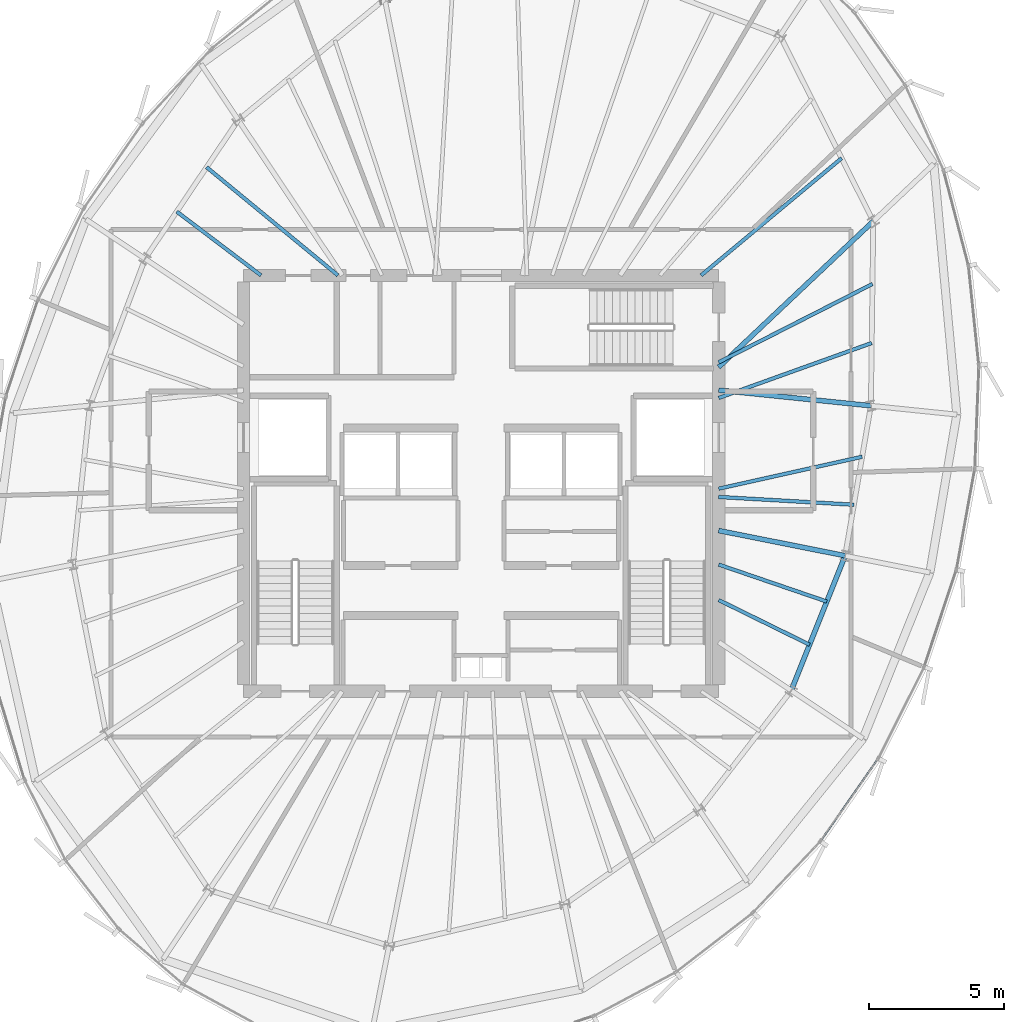
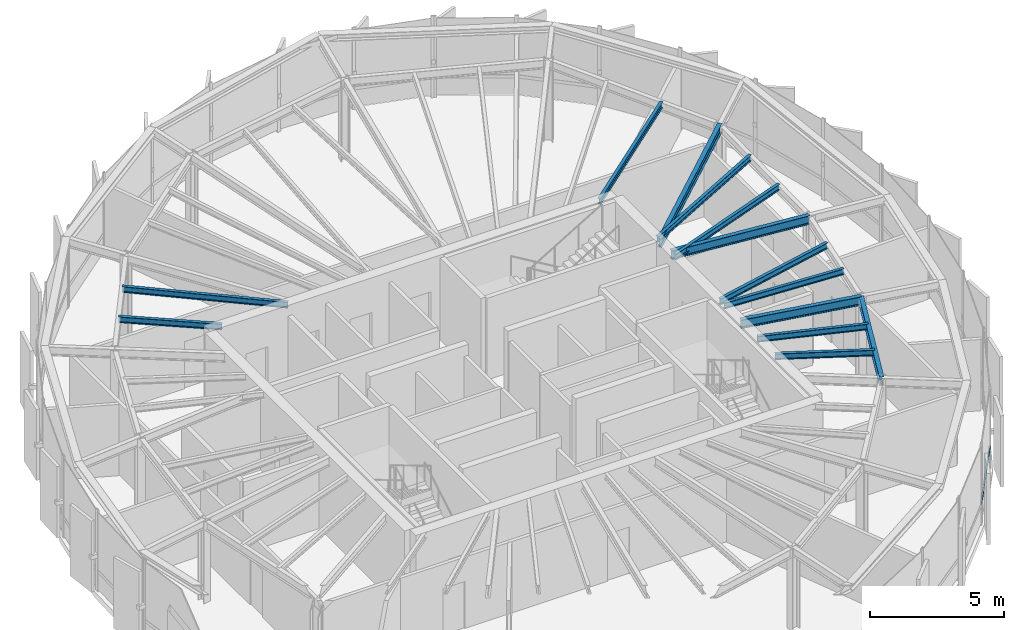
# One storey, part 11 of 25: 13 beams, 1 member, 1 element without a shape of its own.
"""IFC4 building model written with IfcOpenShell, lengths in metres."""

import ifcopenshell
import ifcopenshell.guid

model = None  # the IFC model being written
_history = None  # IfcOwnerHistory: only IFC2X3 demands one
_inside = {}  # id of a spatial element -> (the spatial element, [elements in it])
_under = {}  # id of a project, library or spatial element -> (it, [spatial elements below it])
_declared = {}  # id of a project -> (the project, [libraries it declares])
_typed = {}  # id of a type object -> (the type object, [elements of that type])
_made_of = {}  # id of a material, layer set ... -> (it, [elements and type objects made of it])


def new_model(schema):
    """Start an empty IFC model of exactly this schema.

    Asked for "IFC4X3", IfcOpenShell would pick the latest addendum, in which some entities
    have other attributes; the version numbers below select the first issue.
    IFC2X3 requires an IfcOwnerHistory on every rooted entity: one is made here for all.
    """
    global model, _history
    if schema == "IFC4X3":
        model = ifcopenshell.file(schema_version=(4, 3, 0, 0))
    else:
        model = ifcopenshell.file(schema=schema)
    _inside.clear()
    _under.clear()
    _declared.clear()
    _typed.clear()
    _made_of.clear()
    _history = None
    if model.schema == "IFC2X3":
        org = make("IfcOrganization", Name="unknown")
        user = make(
            "IfcPersonAndOrganization",
            ThePerson=make("IfcPerson", FamilyName="unknown"),
            TheOrganization=org,
        )
        app = make(
            "IfcApplication",
            ApplicationDeveloper=org,
            Version="unknown",
            ApplicationFullName="unknown",
            ApplicationIdentifier="unknown",
        )
        _history = make(
            "IfcOwnerHistory",
            OwningUser=user,
            OwningApplication=app,
            ChangeAction="ADDED",
            CreationDate=0,
        )
    return model


def make(cls, **values):
    """One entity of the class cls with the attributes given. An attribute that is None is left unset."""
    return model.create_entity(
        cls, **{name: value for name, value in values.items() if value is not None}
    )


def rooted(cls, **values):
    """An entity with a GlobalId (a new one), such as an element, a storey or a relation."""
    return make(cls, GlobalId=ifcopenshell.guid.new(), OwnerHistory=_history, **values)


def si_unit(unit_type, name, prefix=None):
    """IfcSIUnit, for example si_unit("LENGTHUNIT", "METRE", prefix="MILLI")."""
    return make("IfcSIUnit", UnitType=unit_type, Prefix=prefix, Name=name)


def assignment(units):
    """IfcUnitAssignment: the units of a project."""
    return None if units is None else make("IfcUnitAssignment", Units=units)


def point(xyz):
    """IfcCartesianPoint."""
    return None if xyz is None else make("IfcCartesianPoint", Coordinates=xyz)


def direction(xyz):
    """IfcDirection."""
    return None if xyz is None else make("IfcDirection", DirectionRatios=xyz)


def frame(location, z_axis=None, x_axis=None):
    """IfcAxis2Placement3D, a coordinate frame: its origin and axes. An axis left out is left unset."""
    return make(
        "IfcAxis2Placement3D",
        Location=point(location),
        Axis=direction(z_axis),
        RefDirection=direction(x_axis),
    )


def frame_2d(location, x_axis=None):
    """IfcAxis2Placement2D, a coordinate frame in the plane: its origin and x axis."""
    return make(
        "IfcAxis2Placement2D", Location=point(location), RefDirection=direction(x_axis)
    )


def origin():
    """The frame at (0, 0, 0) with its axes left unset."""
    return frame((0.0, 0.0, 0.0))


def origin_2d():
    """The frame at (0, 0) in the plane with its x axis left unset."""
    return frame_2d((0.0, 0.0))


def place(relative_to, where):
    """IfcLocalPlacement: puts the frame where relative to a parent placement (None: the world)."""
    return make(
        "IfcLocalPlacement", PlacementRelTo=relative_to, RelativePlacement=where
    )


def context(
    kind, dimensions, precision=None, world=None, true_north=None, identifier=None
):
    """IfcGeometricRepresentationContext, for example the 3D "Model" context."""
    return make(
        "IfcGeometricRepresentationContext",
        ContextIdentifier=identifier,
        ContextType=kind,
        CoordinateSpaceDimension=dimensions,
        Precision=precision,
        WorldCoordinateSystem=world,
        TrueNorth=true_north,
    )


def subcontext(parent, identifier, kind, view, scale=None):
    """IfcGeometricRepresentationSubContext, for example "Body" below "Model"."""
    return make(
        "IfcGeometricRepresentationSubContext",
        ContextIdentifier=identifier,
        ContextType=kind,
        ParentContext=parent,
        TargetScale=scale,
        TargetView=view,
    )


def project(units=None, contexts=None):
    """IfcProject with its units and contexts."""
    return rooted(
        "IfcProject",
        Name="project",
        RepresentationContexts=contexts,
        UnitsInContext=assignment(units),
    )


def spatial(cls, under=None, at=None, **own):
    """A site, building, storey or space (cls), placed at a placement, below another one or the project."""
    s = rooted(cls, ObjectPlacement=at, **own)
    if under is not None:
        _under.setdefault(under.id(), (under, []))[1].append(s)
    return s


def profile(cls, at=None, kind="AREA", **sizes):
    """A parametric profile (cls). Its sizes go by their IFC names, for example OverallWidth=200.0."""
    return make(cls, ProfileType=kind, Position=at, **sizes)


def hollow_rectangle(**sizes):
    """IfcRectangleHollowProfileDef."""
    return profile("IfcRectangleHollowProfileDef", **sizes)


def i_section(**sizes):
    """IfcIShapeProfileDef."""
    return profile("IfcIShapeProfileDef", **sizes)


def extrude(swept, where, along, depth):
    """IfcExtrudedAreaSolid: the profile swept, set in the frame where, extruded along a direction by depth."""
    return make(
        "IfcExtrudedAreaSolid",
        SweptArea=swept,
        Position=where,
        ExtrudedDirection=direction(along),
        Depth=depth,
    )


def shape(context_of_items, identifier, shape_type, items):
    """IfcShapeRepresentation: the items that make up one representation, for example the "Body"."""
    return make(
        "IfcShapeRepresentation",
        ContextOfItems=context_of_items,
        RepresentationIdentifier=identifier,
        RepresentationType=shape_type,
        Items=items,
    )


def source(mapping_origin, context_of_items, identifier, shape_type, items):
    """IfcRepresentationMap: a shape defined once, which mapped items show again and again."""
    return make(
        "IfcRepresentationMap",
        MappingOrigin=mapping_origin,
        MappedRepresentation=shape(context_of_items, identifier, shape_type, items),
    )


def transform(
    local_origin,
    x_axis=None,
    y_axis=None,
    z_axis=None,
    scale=None,
    scale2=None,
    scale3=None,
    uniform=True,
):
    """IfcCartesianTransformationOperator3D, or its non-uniform kind. x_axis, y_axis, z_axis: its Axis1, 2, 3."""
    if uniform:
        return make(
            "IfcCartesianTransformationOperator3D",
            Axis1=direction(x_axis),
            Axis2=direction(y_axis),
            LocalOrigin=point(local_origin),
            Scale=scale,
            Axis3=direction(z_axis),
        )
    return make(
        "IfcCartesianTransformationOperator3DnonUniform",
        Axis1=direction(x_axis),
        Axis2=direction(y_axis),
        LocalOrigin=point(local_origin),
        Scale=scale,
        Axis3=direction(z_axis),
        Scale2=scale2,
        Scale3=scale3,
    )


def mapped(mapping_source, mapping_target):
    """IfcMappedItem: shows the shape of a source again, moved by a transform."""
    return make(
        "IfcMappedItem", MappingSource=mapping_source, MappingTarget=mapping_target
    )


def material(Name=None, Category=None):
    """IfcMaterial."""
    return make("IfcMaterial", Name=Name, Category=Category)


def layer(
    of_material, thickness, ventilated=None, Name=None, Category=None, Priority=None
):
    """IfcMaterialLayer: one layer of a wall or slab, of a material (None: an air gap)."""
    return make(
        "IfcMaterialLayer",
        Material=of_material,
        LayerThickness=thickness,
        IsVentilated=ventilated,
        Name=Name,
        Category=Category,
        Priority=Priority,
    )


def layer_set(layers, Name=None):
    """IfcMaterialLayerSet."""
    return make("IfcMaterialLayerSet", MaterialLayers=layers, LayerSetName=Name)


def material_profile(
    of_material, cross_section, Name=None, Category=None, Priority=None
):
    """IfcMaterialProfile: a cross section and its material."""
    return make(
        "IfcMaterialProfile",
        Name=Name,
        Material=of_material,
        Profile=cross_section,
        Priority=Priority,
        Category=Category,
    )


def profile_set(profiles, Name=None, composite=None):
    """IfcMaterialProfileSet."""
    return make(
        "IfcMaterialProfileSet",
        Name=Name,
        MaterialProfiles=profiles,
        CompositeProfile=composite,
    )


def made_of(thing, what):
    """Note that an element or type object is made of a material, layer set ...; save() writes the relation."""
    if what is not None:
        _made_of.setdefault(what.id(), (what, []))[1].append(thing)
    return thing


def type_object(cls, material=None, **own):
    """A type object (cls), such as IfcWallType, which elements share."""
    return made_of(rooted(cls, **own), material)


def element(
    cls,
    number,
    at=None,
    inside=None,
    cuts=None,
    type_object=None,
    material=None,
    context=None,
    identifier="Body",
    shape_type=None,
    held_by="IfcProductDefinitionShape",
    body=None,
    shapes=None,
    **own,
):
    """One element of the class cls, such as IfcWall. Its Tag is "e" and its number.

    at: its placement. inside: the storey or other place that contains it. cuts: it is an
    opening in that element (IfcRelVoidsElement). A single representation is given by context,
    identifier, shape_type and body (its items); several are given by shapes. held_by: the class
    of the entity that holds the representations. save() writes the other relations.
    """
    e = rooted(cls, Tag="e%d" % number, ObjectPlacement=at, **own)
    if body is not None:
        shapes = [shape(context, identifier, shape_type, body)]
    if shapes is not None:
        e.Representation = make(held_by, Representations=shapes)
    if inside is not None:
        _inside.setdefault(inside.id(), (inside, []))[1].append(e)
    if cuts is not None:
        rooted(
            "IfcRelVoidsElement", RelatingBuildingElement=cuts, RelatedOpeningElement=e
        )
    if type_object is not None:
        _typed.setdefault(type_object.id(), (type_object, []))[1].append(e)
    return made_of(e, material)


def aggregate(whole, parts):
    """IfcRelAggregates: a whole, such as a stair, and the parts it consists of."""
    return rooted("IfcRelAggregates", RelatingObject=whole, RelatedObjects=parts)


def save(model, path):
    """Write the relations noted so far, then the file.

    IfcRelAggregates (storeys below a building ...), IfcRelContainedInSpatialStructure (elements
    in a storey), IfcRelDefinesByType, IfcRelAssociatesMaterial and IfcRelDeclares: one each for
    every whole, place, type object, material and project.
    """
    for whole, parts in _under.values():
        aggregate(whole, parts)
    for where, things in _inside.values():
        rooted(
            "IfcRelContainedInSpatialStructure",
            RelatedElements=things,
            RelatingStructure=where,
        )
    for kind, things in _typed.values():
        rooted("IfcRelDefinesByType", RelatedObjects=things, RelatingType=kind)
    for what, things in _made_of.values():
        rooted("IfcRelAssociatesMaterial", RelatedObjects=things, RelatingMaterial=what)
    for by, libraries in _declared.values():
        rooted("IfcRelDeclares", RelatingContext=by, RelatedDefinitions=libraries)
    model.write(path)


model = new_model("IFC4")

# Units and contexts
model_context = context("Model", 3, precision=1e-05, world=origin(), true_north=direction((0.0, 1.0)))
body_context = subcontext(model_context, "Body", "Model", "MODEL_VIEW")
ifc_project = project(units=[si_unit("LENGTHUNIT", "METRE"), si_unit("AREAUNIT", "SQUARE_METRE"), si_unit("VOLUMEUNIT", "CUBIC_METRE"), si_unit("PLANEANGLEUNIT", "RADIAN"), si_unit("MASSUNIT", "GRAM", prefix="KILO"), si_unit("THERMODYNAMICTEMPERATUREUNIT", "KELVIN")], contexts=[model_context])

# Site, building, storey
site_placement = place(None, origin())
site = spatial("IfcSite", under=ifc_project, at=site_placement, CompositionType="ELEMENT")
building_placement = place(site_placement, origin())
building = spatial("IfcBuilding", under=site, at=building_placement, Name="Kethvar Cultural Tower", CompositionType="ELEMENT")
storey_placement = place(building_placement, frame((0.0, 0.0, 304.300048828125)))
storey = spatial("IfcBuildingStorey", under=building, at=storey_placement, Name="L81", CompositionType="ELEMENT", Elevation=304.300048828125)

# Beams
ifc_material_1 = material(Name="Steel S355J2", Category="steel")
ifc_material_profile_1 = material_profile(ifc_material_1, i_section(OverallWidth=0.135009765625, OverallDepth=0.27001953125, WebThickness=0.006591796875, FlangeThickness=0.01025390625, FilletRadius=0.014892578125, at=origin_2d()), Name="Steel S355J2 — IPE270")
ifc_profile_set_1 = profile_set([ifc_material_profile_1], Name="Steel S355J2 — IPE270")
beam_type_1 = type_object("IfcBeamType", Name="BM-J270", PredefinedType="JOIST", material=ifc_profile_set_1)
shared_shape_1 = source(origin(), body_context, "Body", "SweptSolid", [
    extrude(i_section(OverallWidth=0.135009765625, OverallDepth=0.27001953125, WebThickness=0.006591796875, FlangeThickness=0.01025390625, FilletRadius=0.014892578125, at=origin_2d()), origin(), (0.0, 0.0, 1.0), 6.021240234375),
])
beam_1_placement = place(storey_placement, frame((55.60009765625, 30.960205078125, 3.597900390625), z_axis=(0.94114970072, 0.337990001086, 0.0), x_axis=(-0.337990001086, 0.94114970072, 0.0)))
element("IfcBeam", 1, at=beam_1_placement, inside=storey, type_object=beam_type_1, Name="L81 Composite Floor Joist J-01A", PredefinedType="JOIST", context=body_context, shape_type="MappedRepresentation", body=[
    mapped(shared_shape_1, transform((0.0, 0.0, 0.0), scale=1.0)),
])
shared_shape_2 = source(origin(), body_context, "Body", "SweptSolid", [
    extrude(i_section(OverallWidth=0.135009765625, OverallDepth=0.27001953125, WebThickness=0.006591796875, FlangeThickness=0.01025390625, FilletRadius=0.014892578125, at=origin_2d()), origin(), (0.0, 0.0, 1.0), 6.3916015625),
])
beam_2_placement = place(storey_placement, frame((55.60009765625, 32.281494140625, 3.597900390625), z_axis=(0.891094874615, 0.453817060538, 0.0), x_axis=(-0.453817060538, 0.891094874615, 0.0)))
element("IfcBeam", 2, at=beam_2_placement, inside=storey, type_object=beam_type_1, Name="L81 Composite Floor Joist J-01B", PredefinedType="JOIST", context=body_context, shape_type="MappedRepresentation", body=[
    mapped(shared_shape_2, transform((0.0, 0.0, 0.0), scale=1.0)),
])
shared_shape_3 = source(origin(), body_context, "Body", "SweptSolid", [
    extrude(i_section(OverallWidth=0.135009765625, OverallDepth=0.27001953125, WebThickness=0.006591796875, FlangeThickness=0.01025390625, FilletRadius=0.014892578125, at=origin_2d()), origin(), (0.0, 0.0, 1.0), 6.776123046875),
])
beam_3_placement = place(storey_placement, frame((54.949951171875, 35.5, 3.597900390625), z_axis=(0.767801747857, 0.6406875026, 0.0), x_axis=(-0.6406875026, 0.767801747857, 0.0)))
element("IfcBeam", 3, at=beam_3_placement, inside=storey, type_object=beam_type_1, Name="L81 Composite Floor Joist J-02A", PredefinedType="JOIST", context=body_context, shape_type="MappedRepresentation", body=[
    mapped(shared_shape_3, transform((0.0, 0.0, 0.0), scale=1.0)),
])
shared_shape_4 = source(origin(), body_context, "Body", "SweptSolid", [
    extrude(i_section(OverallWidth=0.135009765625, OverallDepth=0.27001953125, WebThickness=0.006591796875, FlangeThickness=0.01025390625, FilletRadius=0.014892578125, at=origin_2d()), origin(), (0.0, 0.0, 1.0), 6.302978515625),
])
beam_4_placement = place(storey_placement, frame((41.5, 35.5, 3.597900390625), z_axis=(-0.771828477148, 0.635830796567, 0.0), x_axis=(-0.635830796567, -0.771828477148, 0.0)))
element("IfcBeam", 4, at=beam_4_placement, inside=storey, type_object=beam_type_1, Name="L81 Composite Floor Joist J-06A", PredefinedType="JOIST", context=body_context, shape_type="MappedRepresentation", body=[
    mapped(shared_shape_4, transform((0.0, 0.0, 0.0), scale=1.0)),
])
shared_shape_5 = source(origin(), body_context, "Body", "SweptSolid", [
    extrude(i_section(OverallWidth=0.135009765625, OverallDepth=0.27001953125, WebThickness=0.006591796875, FlangeThickness=0.01025390625, FilletRadius=0.014892578125, at=origin_2d()), origin(), (0.0, 0.0, 1.0), 3.91357421875),
])
beam_5_placement = place(storey_placement, frame((38.64990234375, 35.5, 3.597900390625), z_axis=(-0.797214062325, 0.603696727531, 0.0), x_axis=(-0.603696727531, -0.797214062325, 0.0)))
element("IfcBeam", 5, at=beam_5_placement, inside=storey, type_object=beam_type_1, Name="L81 Composite Floor Joist J-06B", PredefinedType="JOIST", context=body_context, shape_type="MappedRepresentation", body=[
    mapped(shared_shape_5, transform((0.0, 0.0, 0.0), scale=1.0)),
])
shared_shape_6 = source(origin(), body_context, "Body", "SweptSolid", [
    extrude(i_section(OverallWidth=0.135009765625, OverallDepth=0.27001953125, WebThickness=0.006591796875, FlangeThickness=0.01025390625, FilletRadius=0.014892578125, at=origin_2d()), origin(), (0.0, 0.0, 1.0), 3.75),
])
beam_6_placement = place(storey_placement, frame((55.60009765625, 23.476318359375, 3.597900390625), z_axis=(0.8975046019, -0.441005090184, 0.0), x_axis=(0.441005090184, 0.8975046019, 0.0)))
element("IfcBeam", 6, at=beam_6_placement, inside=storey, type_object=beam_type_1, Name="L81 Composite Floor Joist J-15A", PredefinedType="JOIST", context=body_context, shape_type="MappedRepresentation", body=[
    mapped(shared_shape_6, transform((0.0, 0.0, 0.0), scale=1.0)),
])
shared_shape_7 = source(origin(), body_context, "Body", "SweptSolid", [
    extrude(i_section(OverallWidth=0.135009765625, OverallDepth=0.27001953125, WebThickness=0.006591796875, FlangeThickness=0.01025390625, FilletRadius=0.014892578125, at=origin_2d()), origin(), (0.0, 0.0, 1.0), 4.232421875),
])
beam_7_placement = place(storey_placement, frame((55.60009765625, 24.7900390625, 3.597900390625), z_axis=(0.946173747357, -0.323659141402, 0.0), x_axis=(0.323659141402, 0.946173747357, 0.0)))
element("IfcBeam", 7, at=beam_7_placement, inside=storey, type_object=beam_type_1, Name="L81 Composite Floor Joist J-15B", PredefinedType="JOIST", context=body_context, shape_type="MappedRepresentation", body=[
    mapped(shared_shape_7, transform((0.0, 0.0, 0.0), scale=1.0)),
])
shared_shape_8 = source(origin(), body_context, "Body", "SweptSolid", [
    extrude(i_section(OverallWidth=0.135009765625, OverallDepth=0.27001953125, WebThickness=0.006591796875, FlangeThickness=0.01025390625, FilletRadius=0.014892578125, at=origin_2d()), origin(), (0.0, 0.0, 1.0), 5.01611328125),
])
beam_8_placement = place(storey_placement, frame((55.60009765625, 27.294189453125, 3.597900390625), z_axis=(0.998352190078, -0.057383835418, 0.0), x_axis=(0.057383835418, 0.998352190078, 0.0)))
element("IfcBeam", 8, at=beam_8_placement, inside=storey, type_object=beam_type_1, Name="L81 Composite Floor Joist J-16A", PredefinedType="JOIST", context=body_context, shape_type="MappedRepresentation", body=[
    mapped(shared_shape_8, transform((0.0, 0.0, 0.0), scale=1.0)),
])
shared_shape_9 = source(origin(), body_context, "Body", "SweptSolid", [
    extrude(i_section(OverallWidth=0.135009765625, OverallDepth=0.27001953125, WebThickness=0.006591796875, FlangeThickness=0.01025390625, FilletRadius=0.014892578125, at=origin_2d()), origin(), (0.0, 0.0, 1.0), 5.44287109375),
])
beam_9_placement = place(storey_placement, frame((55.60009765625, 27.60009765625, 3.597900390625), z_axis=(0.976080346759, 0.217410111702, 0.0), x_axis=(-0.217410111702, 0.976080346759, 0.0)))
element("IfcBeam", 9, at=beam_9_placement, inside=storey, type_object=beam_type_1, Name="L81 Composite Floor Joist J-16B", PredefinedType="JOIST", context=body_context, shape_type="MappedRepresentation", body=[
    mapped(shared_shape_9, transform((0.0, 0.0, 0.0), scale=1.0)),
])
ifc_material_profile_2 = material_profile(ifc_material_1, i_section(OverallWidth=0.179931640625, OverallDepth=0.39990234375, WebThickness=0.008544921875, FlangeThickness=0.013427734375, FilletRadius=0.02099609375, at=origin_2d()), Name="Steel S355J2 — IPE400")
ifc_profile_set_2 = profile_set([ifc_material_profile_2], Name="Steel S355J2 — IPE400")
beam_type_2 = type_object("IfcBeamType", Name="BM-IPE400", PredefinedType="BEAM", material=ifc_profile_set_2)
shared_shape_10 = source(origin(), body_context, "Body", "SweptSolid", [
    extrude(i_section(OverallWidth=0.179931640625, OverallDepth=0.39990234375, WebThickness=0.008544921875, FlangeThickness=0.013427734375, FilletRadius=0.02099609375, at=origin_2d()), origin(), (0.0, 0.0, 1.0), 5.66650390625),
])
beam_10_placement = place(storey_placement, frame((55.60009765625, 31.25, 3.532958984375), z_axis=(0.994777513459, -0.102067128476, 0.0), x_axis=(0.102067128476, 0.994777513459, 0.0)))
element("IfcBeam", 10, at=beam_10_placement, inside=storey, type_object=beam_type_2, Name="L81 Primary Radial Beam RB-01", PredefinedType="BEAM", context=body_context, shape_type="MappedRepresentation", body=[
    mapped(shared_shape_10, transform((0.0, 0.0, 0.0), scale=1.0)),
])
shared_shape_11 = source(origin(), body_context, "Body", "SweptSolid", [
    extrude(i_section(OverallWidth=0.179931640625, OverallDepth=0.39990234375, WebThickness=0.008544921875, FlangeThickness=0.013427734375, FilletRadius=0.02099609375, at=origin_2d()), origin(), (0.0, 0.0, 1.0), 7.874267578125),
])
beam_11_placement = place(storey_placement, frame((55.60009765625, 32.10009765625, 3.532958984375), z_axis=(0.727123202456, 0.686506990823, 0.0), x_axis=(-0.686506990823, 0.727123202456, 0.0)))
element("IfcBeam", 11, at=beam_11_placement, inside=storey, type_object=beam_type_2, Name="L81 Primary Radial Beam RB-02", PredefinedType="BEAM", context=body_context, shape_type="MappedRepresentation", body=[
    mapped(shared_shape_11, transform((0.0, 0.0, 0.0), scale=1.0)),
])
shared_shape_12 = source(origin(), body_context, "Body", "SweptSolid", [
    extrude(i_section(OverallWidth=0.179931640625, OverallDepth=0.39990234375, WebThickness=0.008544921875, FlangeThickness=0.013427734375, FilletRadius=0.02099609375, at=origin_2d()), origin(), (0.0, 0.0, 1.0), 4.775390625),
])
beam_12_placement = place(storey_placement, frame((55.60009765625, 26.049560546875, 3.532958984375), z_axis=(0.980784643133, -0.195093525761, 0.0), x_axis=(0.195093525761, 0.980784643133, 0.0)))
element("IfcBeam", 12, at=beam_12_placement, inside=storey, type_object=beam_type_2, Name="L81 Primary Radial Beam RB-16", PredefinedType="BEAM", context=body_context, shape_type="MappedRepresentation", body=[
    mapped(shared_shape_12, transform((0.0, 0.0, 0.0), scale=1.0)),
])
shared_shape_13 = source(origin(), body_context, "Body", "SweptSolid", [
    extrude(i_section(OverallWidth=0.179931640625, OverallDepth=0.39990234375, WebThickness=0.008544921875, FlangeThickness=0.013427734375, FilletRadius=0.02099609375, at=origin_2d()), origin(), (0.0, 0.0, 1.0), 5.377685546875),
])
beam_13_placement = place(storey_placement, frame((58.287109375, 20.12451171875, 3.532958984375), z_axis=(0.371265436914, 0.928526776864, 0.0), x_axis=(-0.928526776864, 0.371265436914, 0.0)))
element("IfcBeam", 13, at=beam_13_placement, inside=storey, type_object=beam_type_2, Name="L81 Column Ring Tie Beam CR-15", PredefinedType="BEAM", context=body_context, shape_type="MappedRepresentation", body=[
    mapped(shared_shape_13, transform((0.0, 0.0, 0.0), scale=1.0)),
])

# Curtain wall, member
ifc_material_2 = material(Name="Aluminium 6063-T6", Category="aluminium")
ifc_layer = layer(ifc_material_2, 0.179931640625, Name="Aluminium 6063-T6", Category="aluminium")
ifc_layer_set = layer_set([ifc_layer], Name="Aluminium 6063-T6 (180 mm)")
curtain_wall_type = type_object("IfcCurtainWallType", Name="CW-SYS-06-CROWN", PredefinedType="NOTDEFINED", material=ifc_layer_set)
curtain_wall_placement = place(storey_placement, origin())
curtain_wall = element("IfcCurtainWall", 14, at=curtain_wall_placement, inside=storey, type_object=curtain_wall_type, Name="L81 Curtain Wall Run 05", PredefinedType="NOTDEFINED")
ifc_material_profile_3 = material_profile(ifc_material_2, hollow_rectangle(XDim=0.06005859375, YDim=0.139892578125, WallThickness=0.0048828125, at=origin_2d()), Name="Aluminium 6063-T6 — RHS140x60x5")
ifc_profile_set_3 = profile_set([ifc_material_profile_3], Name="Aluminium 6063-T6 — RHS140x60x5")
member_type = type_object("IfcMemberType", Name="CW-SYS-06-CROWN-TRN", PredefinedType="USERDEFINED", material=ifc_profile_set_3)
shared_shape_14 = source(origin(), body_context, "Body", "SweptSolid", [
    extrude(hollow_rectangle(XDim=0.06005859375, YDim=0.139892578125, WallThickness=0.0048828125, at=origin_2d()), origin(), (0.0, 0.0, 1.0), 3.66650390625),
])
member_placement = place(storey_placement, frame((59.3974609375, 14.584228515625, 0.949951171875), z_axis=(0.571973269408, 0.82027225912, 0.0), x_axis=(-0.82027225912, 0.571973269408, 0.0)))
member = element("IfcMember", 15, at=member_placement, type_object=member_type, Name="CW-L81-R05 Transom 2", ObjectType="TRANSOM", PredefinedType="USERDEFINED", context=body_context, shape_type="MappedRepresentation", body=[
    mapped(shared_shape_14, transform((0.0, 0.0, 0.0), scale=1.0)),
])
aggregate(curtain_wall, [member])

save(model, "model.ifc")
